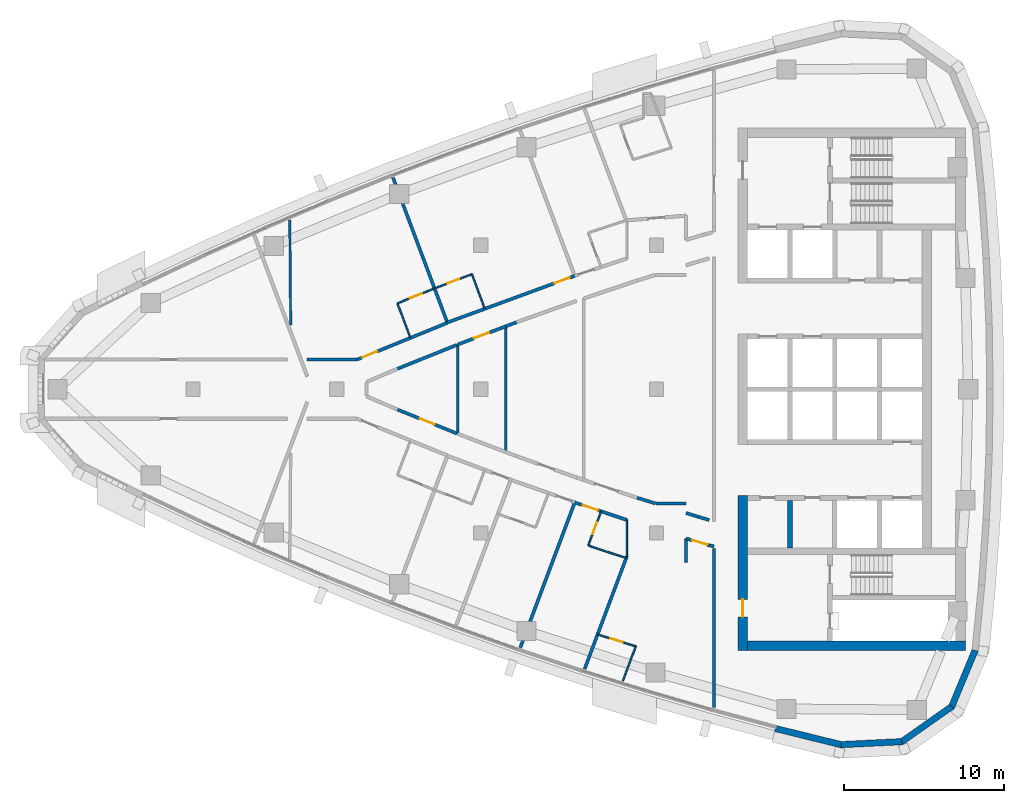
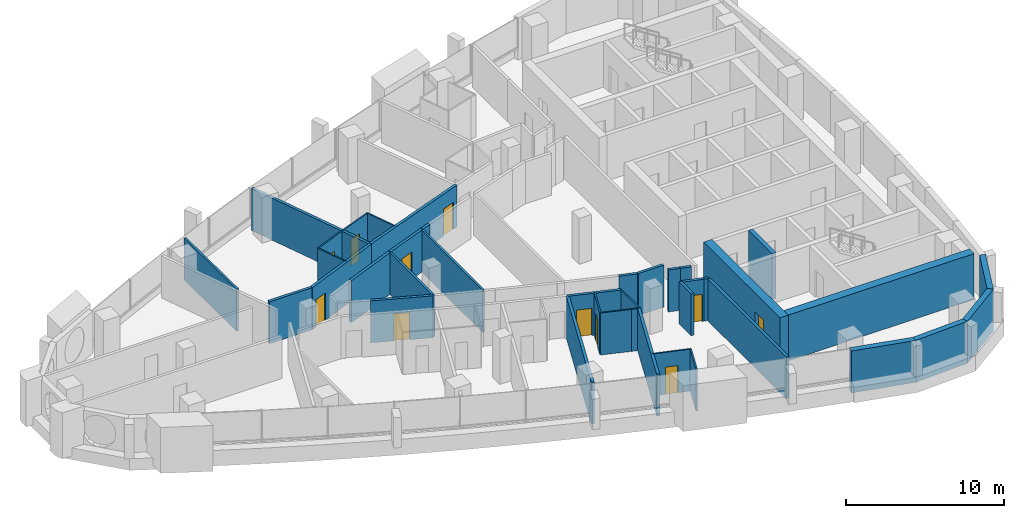
# One storey, part 9 of 16: 39 walls, 11 doors, 11 openings.
"""IFC4 building model written with IfcOpenShell, lengths in metres."""

from ifc_helpers import new_model, si_unit, direction, frame, frame_2d, origin, place, context, subcontext, project, spatial, polyline, rectangle, outline, extrude, material, layer, layer_set, type_object, element, fill, save


model = new_model("IFC4")

# Units and contexts
model_context = context("Model", 3, precision=1e-05, world=origin(), true_north=direction((0.0, 1.0)))
body_context = subcontext(model_context, "Body", "Model", "MODEL_VIEW")
ifc_project = project(units=[si_unit("LENGTHUNIT", "METRE"), si_unit("AREAUNIT", "SQUARE_METRE"), si_unit("VOLUMEUNIT", "CUBIC_METRE"), si_unit("PLANEANGLEUNIT", "RADIAN"), si_unit("MASSUNIT", "GRAM", prefix="KILO")], contexts=[model_context])

# Site, building, storey
site_placement = place(None, origin())
site = spatial("IfcSite", under=ifc_project, at=site_placement, CompositionType="ELEMENT")
building_placement = place(site_placement, origin())
building = spatial("IfcBuilding", under=site, at=building_placement, Name="Ostrand Prow Hotel Tower", CompositionType="ELEMENT")
storey_placement = place(building_placement, frame((0.0, 0.0, 220.800048828125)))
storey = spatial("IfcBuildingStorey", under=building, at=storey_placement, Name="L55", CompositionType="ELEMENT", Elevation=220.800048828125)

# Wall
ifc_material_1 = material(Name="Concrete C50/60", Category="concrete")
ifc_layer_1 = layer(ifc_material_1, 0.300048828125)
ifc_layer_set_1 = layer_set([ifc_layer_1], Name="Concrete C50/60")
wall_type_1 = type_object("IfcWallType", Name="Core wall 300 C50/60", PredefinedType="SHEAR", material=ifc_layer_set_1)
wall_1_placement = place(storey_placement, frame((53.35009765625, -9.949951171875, 0.0), z_axis=(0.0, 0.0, 1.0), x_axis=(0.0, 1.0, 0.0)))
element("IfcWall", 1, at=wall_1_placement, inside=storey, type_object=wall_type_1, Name="Core wall PW-R1-SA", PredefinedType="SHEAR", context=body_context, shape_type="SweptSolid", body=[
    extrude(rectangle(XDim=3.0, YDim=0.300048828125, at=frame_2d((1.5, 0.0))), origin(), (0.0, 0.0, 1.0), 3.550048828125),
])

# Wall, opening, door
ifc_material_2 = material(Name="Concrete C50/60", Category="concrete")
ifc_layer_2 = layer(ifc_material_2, 0.60009765625)
ifc_layer_set_2 = layer_set([ifc_layer_2], Name="Concrete C50/60")
wall_type_2 = type_object("IfcWallType", Name="Core wall 600 C50/60", PredefinedType="SHEAR", material=ifc_layer_set_2)
wall_2_placement = place(storey_placement, frame((50.39990234375, -16.35009765625, 0.0), z_axis=(0.0, 0.0, 1.0), x_axis=(0.0, 1.0, 0.0)))
wall_2 = element("IfcWall", 2, at=wall_2_placement, inside=storey, type_object=wall_type_2, Name="Core wall CW-W-S", PredefinedType="SHEAR", context=body_context, shape_type="SweptSolid", body=[
    extrude(rectangle(XDim=9.7001953125, YDim=0.60009765625, at=frame_2d((4.85009765625, 0.0))), origin(), (0.0, 0.0, 1.0), 3.550048828125),
])
opening_1_placement = place(wall_2_placement, frame((2.10009765625, 0.0, 0.0)))
opening_1 = element("IfcOpeningElement", 3, at=opening_1_placement, cuts=wall_2, Name="Opening FD1", PredefinedType="OPENING", context=body_context, shape_type="SweptSolid", body=[
    extrude(rectangle(XDim=1.10009765625, YDim=2.10009765625, at=frame_2d((0.550048828125, 1.050048828125))), frame((0.0, 0.31005859375, 0.0), z_axis=(0.0, -1.0, 0.0), x_axis=(1.0, 0.0, 0.0)), (0.0, 0.0, 1.0), 0.6201171875),
])
ifc_material_3 = material(Name="Steel fire door", Category="steel")
door_type_1 = type_object("IfcDoorType", Name="Fire door 1100 EI120", OperationType="SINGLE_SWING_RIGHT", PredefinedType="DOOR", material=ifc_material_3)
door_1_placement = place(opening_1_placement, origin())
door_1 = element("IfcDoor", 4, at=door_1_placement, inside=storey, type_object=door_type_1, Name="FIRE DOOR", OperationType="SINGLE_SWING_RIGHT", OverallHeight=2.10009765625, OverallWidth=1.10009765625, PredefinedType="DOOR", context=body_context, shape_type="SweptSolid", body=[
    extrude(rectangle(XDim=1.10009765625, YDim=2.10009765625, at=frame_2d((0.550048828125, 1.050048828125))), frame((0.0, 0.02490234375, 0.0), z_axis=(0.0, -1.0, 0.0), x_axis=(1.0, 0.0, 0.0)), (0.0, 0.0, 1.0), 0.050048828125),
])
fill(opening_1, door_1)

# Wall
wall_3_placement = place(storey_placement, frame((50.699951171875, -16.050048828125, 0.0), z_axis=(0.0, 0.0, 1.0), x_axis=(1.0, 0.0, 0.0)))
element("IfcWall", 5, at=wall_3_placement, inside=storey, type_object=wall_type_2, Name="Core wall CW-S", PredefinedType="SHEAR", context=body_context, shape_type="SweptSolid", body=[
    extrude(rectangle(XDim=13.6201171875, YDim=0.60009765625, at=frame_2d((6.81005859375, 0.0))), origin(), (0.0, 0.0, 1.0), 3.550048828125),
])

# Wall, opening, door
ifc_material_4 = material(Name="Plasterboard partition")
ifc_layer_3 = layer(ifc_material_4, 0.10009765625)
ifc_layer_set_3 = layer_set([ifc_layer_3], Name="Plasterboard partition")
wall_type_3 = type_object("IfcWallType", Name="Partition 100 bathroom wall", PredefinedType="PARTITIONING", material=ifc_layer_set_3)
wall_4_placement = place(storey_placement, frame((28.79296875, 5.37158203125, 0.0), z_axis=(0.0, 0.0, 1.0), x_axis=(0.92761232595, 0.373544338394, 0.0)))
wall_4 = element("IfcWall", 6, at=wall_4_placement, inside=storey, type_object=wall_type_3, Name="BATHROOM WALL", PredefinedType="PARTITIONING", context=body_context, shape_type="SweptSolid", body=[
    extrude(rectangle(XDim=2.50048828125, YDim=0.10009765625, at=frame_2d((1.250244140625, 0.0))), origin(), (0.0, 0.0, 1.0), 3.25),
])
opening_2_placement = place(wall_4_placement, frame((0.85009765625, 0.0, 0.0)))
opening_2 = element("IfcOpeningElement", 7, at=opening_2_placement, cuts=wall_4, Name="Opening D2", PredefinedType="OPENING", context=body_context, shape_type="SweptSolid", body=[
    extrude(rectangle(XDim=0.800048828125, YDim=2.10009765625, at=frame_2d((0.39990234375, 1.050048828125))), frame((0.0, 0.06005859375, 0.0), z_axis=(0.0, -1.0, 0.0), x_axis=(1.0, 0.0, 0.0)), (0.0, 0.0, 1.0), 0.1201171875),
])
ifc_material_5 = material(Name="Timber door leaf", Category="wood")
door_type_2 = type_object("IfcDoorType", Name="Bathroom door 800", OperationType="SINGLE_SWING_LEFT", PredefinedType="DOOR", material=ifc_material_5)
door_2_placement = place(opening_2_placement, origin())
door_2 = element("IfcDoor", 8, at=door_2_placement, inside=storey, type_object=door_type_2, Name="DOOR", OperationType="SINGLE_SWING_LEFT", OverallHeight=2.10009765625, OverallWidth=0.800048828125, PredefinedType="DOOR", context=body_context, shape_type="SweptSolid", body=[
    extrude(rectangle(XDim=0.800048828125, YDim=2.10009765625, at=frame_2d((0.39990234375, 1.050048828125))), frame((0.0, 0.02490234375, 0.0), z_axis=(0.0, -1.0, 0.0), x_axis=(1.0, 0.0, 0.0)), (0.0, 0.0, 1.0), 0.050048828125),
])
fill(opening_2, door_2)

# Wall
wall_5_placement = place(storey_placement, frame((29.592529296875, 3.23876953125, 0.0), z_axis=(0.0, 0.0, 1.0), x_axis=(-0.351158682313, 0.936315961541, 0.0)))
element("IfcWall", 9, at=wall_5_placement, inside=storey, type_object=wall_type_3, Name="BATHROOM WALL", PredefinedType="PARTITIONING", context=body_context, shape_type="SweptSolid", body=[
    extrude(rectangle(XDim=2.277587890625, YDim=0.10009765625, at=frame_2d((1.138671875, 0.0))), origin(), (0.0, 0.0, 1.0), 3.25),
])

# Wall, opening, door
wall_6_placement = place(storey_placement, frame((31.117431640625, 6.3076171875, 0.0), z_axis=(0.0, 0.0, 1.0), x_axis=(0.93495051617, 0.354778145202, 0.0)))
wall_6 = element("IfcWall", 10, at=wall_6_placement, inside=storey, type_object=wall_type_3, Name="BATHROOM WALL", PredefinedType="PARTITIONING", context=body_context, shape_type="SweptSolid", body=[
    extrude(rectangle(XDim=2.49462890625, YDim=0.10009765625, at=frame_2d((1.247314453125, 0.0))), origin(), (0.0, 0.0, 1.0), 3.25),
])
opening_3_placement = place(wall_6_placement, frame((0.85009765625, 0.0, 0.0)))
opening_3 = element("IfcOpeningElement", 11, at=opening_3_placement, cuts=wall_6, Name="Opening D2", PredefinedType="OPENING", context=body_context, shape_type="SweptSolid", body=[
    extrude(rectangle(XDim=0.800048828125, YDim=2.10009765625, at=frame_2d((0.39990234375, 1.050048828125))), frame((0.0, 0.06005859375, 0.0), z_axis=(0.0, -1.0, 0.0), x_axis=(1.0, 0.0, 0.0)), (0.0, 0.0, 1.0), 0.1201171875),
])
door_3_placement = place(opening_3_placement, origin())
door_3 = element("IfcDoor", 12, at=door_3_placement, inside=storey, type_object=door_type_2, Name="DOOR", OperationType="SINGLE_SWING_LEFT", OverallHeight=2.10009765625, OverallWidth=0.800048828125, PredefinedType="DOOR", context=body_context, shape_type="SweptSolid", body=[
    extrude(rectangle(XDim=0.800048828125, YDim=2.10009765625, at=frame_2d((0.39990234375, 1.050048828125))), frame((0.0, 0.02490234375, 0.0), z_axis=(0.0, -1.0, 0.0), x_axis=(1.0, 0.0, 0.0)), (0.0, 0.0, 1.0), 0.050048828125),
])
fill(opening_3, door_3)

# Wall
wall_7_placement = place(storey_placement, frame((33.449951171875, 7.192626953125, 0.0), z_axis=(0.0, 0.0, 1.0), x_axis=(0.351135191353, -0.936324771323, 0.0)))
element("IfcWall", 13, at=wall_7_placement, inside=storey, type_object=wall_type_3, Name="BATHROOM WALL", PredefinedType="PARTITIONING", context=body_context, shape_type="SweptSolid", body=[
    extrude(rectangle(XDim=2.277099609375, YDim=0.10009765625, at=frame_2d((1.138671875, 0.0))), origin(), (0.0, 0.0, 1.0), 3.25),
])

# Wall, opening, door
wall_8_placement = place(storey_placement, frame((40.731689453125, -9.778564453125, 0.0), z_axis=(0.0, 0.0, 1.0), x_axis=(0.351146927505, 0.936320370014, 0.0)))
wall_8 = element("IfcWall", 14, at=wall_8_placement, inside=storey, type_object=wall_type_3, Name="BATHROOM WALL", PredefinedType="PARTITIONING", context=body_context, shape_type="SweptSolid", body=[
    extrude(rectangle(XDim=2.2783203125, YDim=0.10009765625, at=frame_2d((1.13916015625, 0.0))), origin(), (0.0, 0.0, 1.0), 3.25),
])
opening_4_placement = place(wall_8_placement, frame((0.75, 0.0, 0.0)))
opening_4 = element("IfcOpeningElement", 15, at=opening_4_placement, cuts=wall_8, Name="Opening D2", PredefinedType="OPENING", context=body_context, shape_type="SweptSolid", body=[
    extrude(rectangle(XDim=0.800048828125, YDim=2.10009765625, at=frame_2d((0.39990234375, 1.050048828125))), frame((0.0, 0.06005859375, 0.0), z_axis=(0.0, -1.0, 0.0), x_axis=(1.0, 0.0, 0.0)), (0.0, 0.0, 1.0), 0.1201171875),
])
door_4_placement = place(opening_4_placement, origin())
door_4 = element("IfcDoor", 16, at=door_4_placement, inside=storey, type_object=door_type_2, Name="DOOR", OperationType="SINGLE_SWING_LEFT", OverallHeight=2.10009765625, OverallWidth=0.800048828125, PredefinedType="DOOR", context=body_context, shape_type="SweptSolid", body=[
    extrude(rectangle(XDim=0.800048828125, YDim=2.10009765625, at=frame_2d((0.39990234375, 1.050048828125))), frame((0.0, 0.02490234375, 0.0), z_axis=(0.0, -1.0, 0.0), x_axis=(1.0, 0.0, 0.0)), (0.0, 0.0, 1.0), 0.050048828125),
])
fill(opening_4, door_4)

# Walls
wall_9_placement = place(storey_placement, frame((43.108154296875, -10.5615234375, 0.0), z_axis=(0.0, 0.0, 1.0), x_axis=(-0.954624465478, 0.297812239356, 0.0)))
element("IfcWall", 17, at=wall_9_placement, inside=storey, type_object=wall_type_3, Name="BATHROOM WALL", PredefinedType="PARTITIONING", context=body_context, shape_type="SweptSolid", body=[
    extrude(rectangle(XDim=0.5107421875, YDim=0.10009765625, at=frame_2d((0.25537109375, 0.0))), origin(), (0.0, 0.0, 1.0), 3.25),
])
wall_10_placement = place(storey_placement, frame((42.62060546875, -10.409423828125, 0.0), z_axis=(0.0, 0.0, 1.0), x_axis=(-0.948499248693, 0.316779379426, 0.0)))
element("IfcWall", 18, at=wall_10_placement, inside=storey, type_object=wall_type_3, Name="BATHROOM WALL", PredefinedType="PARTITIONING", context=body_context, shape_type="SweptSolid", body=[
    extrude(rectangle(XDim=1.991455078125, YDim=0.10009765625, at=frame_2d((0.99560546875, 0.0))), origin(), (0.0, 0.0, 1.0), 3.25),
])
wall_11_placement = place(storey_placement, frame((43.705078125, -16.08984375, 0.0), z_axis=(0.0, 0.0, 1.0), x_axis=(-0.351111827312, -0.936333532841, 0.0)))
element("IfcWall", 19, at=wall_11_placement, inside=storey, type_object=wall_type_3, Name="BATHROOM WALL", PredefinedType="PARTITIONING", context=body_context, shape_type="SweptSolid", body=[
    extrude(rectangle(XDim=2.3037109375, YDim=0.10009765625, at=frame_2d((1.15185546875, 0.0))), origin(), (0.0, 0.0, 1.0), 3.25),
])

# Wall, opening, door
wall_12_placement = place(storey_placement, frame((41.314697265625, -15.344482421875, 0.0), z_axis=(0.0, 0.0, 1.0), x_axis=(0.954665433195, -0.297680887299, 0.0)))
wall_12 = element("IfcWall", 20, at=wall_12_placement, inside=storey, type_object=wall_type_3, Name="BATHROOM WALL", PredefinedType="PARTITIONING", context=body_context, shape_type="SweptSolid", body=[
    extrude(rectangle(XDim=2.50390625, YDim=0.10009765625, at=frame_2d((1.251953125, 0.0))), origin(), (0.0, 0.0, 1.0), 3.25),
])
opening_5_placement = place(wall_12_placement, frame((0.85009765625, 0.0, 0.0)))
opening_5 = element("IfcOpeningElement", 21, at=opening_5_placement, cuts=wall_12, Name="Opening D2", PredefinedType="OPENING", context=body_context, shape_type="SweptSolid", body=[
    extrude(rectangle(XDim=0.800048828125, YDim=2.10009765625, at=frame_2d((0.39990234375, 1.050048828125))), frame((0.0, 0.06005859375, 0.0), z_axis=(0.0, -1.0, 0.0), x_axis=(1.0, 0.0, 0.0)), (0.0, 0.0, 1.0), 0.1201171875),
])
door_5_placement = place(opening_5_placement, origin())
door_5 = element("IfcDoor", 22, at=door_5_placement, inside=storey, type_object=door_type_2, Name="DOOR", OperationType="SINGLE_SWING_LEFT", OverallHeight=2.10009765625, OverallWidth=0.800048828125, PredefinedType="DOOR", context=body_context, shape_type="SweptSolid", body=[
    extrude(rectangle(XDim=0.800048828125, YDim=2.10009765625, at=frame_2d((0.39990234375, 1.050048828125))), frame((0.0, 0.02490234375, 0.0), z_axis=(0.0, -1.0, 0.0), x_axis=(1.0, 0.0, 0.0)), (0.0, 0.0, 1.0), 0.050048828125),
])
fill(opening_5, door_5)

# Walls
wall_13_placement = place(storey_placement, frame((43.14501953125, -8.1650390625, 0.0), z_axis=(0.0, 0.0, 1.0), x_axis=(0.0, -1.0, 0.0)))
element("IfcWall", 23, at=wall_13_placement, inside=storey, type_object=wall_type_3, Name="BATHROOM WALL", PredefinedType="PARTITIONING", context=body_context, shape_type="SweptSolid", body=[
    extrude(rectangle(XDim=2.29833984375, YDim=0.10009765625, at=frame_2d((1.149169921875, 0.0))), origin(), (0.0, 0.0, 1.0), 3.25),
])
ifc_material_6 = material(Name="Plasterboard partition")
ifc_layer_4 = layer(ifc_material_6, 0.14990234375)
ifc_layer_set_4 = layer_set([ifc_layer_4], Name="Plasterboard partition")
wall_type_4 = type_object("IfcWallType", Name="Partition 150 room partition", PredefinedType="PARTITIONING", material=ifc_layer_set_4)
wall_14_placement = place(storey_placement, frame((32.556396484375, -2.789306640625, 0.0), z_axis=(0.0, 0.0, 1.0), x_axis=(0.0, 1.0, 0.0)))
element("IfcWall", 24, at=wall_14_placement, inside=storey, type_object=wall_type_4, Name="ROOM PARTITION", PredefinedType="PARTITIONING", context=body_context, shape_type="SweptSolid", body=[
    extrude(rectangle(XDim=5.57861328125, YDim=0.14990234375, at=frame_2d((2.789306640625, 0.0))), origin(), (0.0, 0.0, 1.0), 3.25),
])
wall_15_placement = place(storey_placement, frame((35.556396484375, -3.927490234375, 0.0), z_axis=(0.0, 0.0, 1.0), x_axis=(0.0, 1.0, 0.0)))
element("IfcWall", 25, at=wall_15_placement, inside=storey, type_object=wall_type_4, Name="ROOM PARTITION", PredefinedType="PARTITIONING", context=body_context, shape_type="SweptSolid", body=[
    extrude(rectangle(XDim=7.85498046875, YDim=0.14990234375, at=frame_2d((3.927490234375, 0.0))), origin(), (0.0, 0.0, 1.0), 3.25),
])
wall_16_placement = place(storey_placement, frame((22.057373046875, 10.577880859375, 0.0), z_axis=(0.0, 0.0, 1.0), x_axis=(0.008379594055, -0.999964890585, 0.0)))
element("IfcWall", 26, at=wall_16_placement, inside=storey, type_object=wall_type_4, Name="ROOM PARTITION", PredefinedType="PARTITIONING", context=body_context, shape_type="SweptSolid", body=[
    extrude(rectangle(XDim=6.555419921875, YDim=0.14990234375, at=frame_2d((3.27783203125, 0.0))), origin(), (0.0, 0.0, 1.0), 3.25),
])

# Wall, opening, door
ifc_material_7 = material(Name="Plasterboard partition")
ifc_layer_5 = layer(ifc_material_7, 0.199951171875)
ifc_layer_set_5 = layer_set([ifc_layer_5], Name="Plasterboard partition")
wall_type_5 = type_object("IfcWallType", Name="Partition 200 corridor wall", PredefinedType="PARTITIONING", material=ifc_layer_set_5)
wall_17_placement = place(storey_placement, frame((26.265869140625, 1.85009765625, 0.0), z_axis=(0.0, 0.0, 1.0), x_axis=(0.926231512449, 0.376955150311, 0.0)))
wall_17 = element("IfcWall", 27, at=wall_17_placement, inside=storey, type_object=wall_type_5, Name="CORRIDOR WALL", PredefinedType="PARTITIONING", context=body_context, shape_type="SweptSolid", body=[
    extrude(rectangle(XDim=6.10498046875, YDim=0.199951171875, at=frame_2d((3.052490234375, 0.0))), origin(), (0.0, 0.0, 1.0), 3.25),
])
opening_6_placement = place(wall_17_placement, frame((0.35009765625, 0.0, 0.0)))
opening_6 = element("IfcOpeningElement", 28, at=opening_6_placement, cuts=wall_17, Name="Opening D1R", PredefinedType="OPENING", context=body_context, shape_type="SweptSolid", body=[
    extrude(rectangle(XDim=1.0, YDim=2.10009765625, at=frame_2d((0.5, 1.050048828125))), frame((0.0, 0.10986328125, 0.0), z_axis=(0.0, -1.0, 0.0), x_axis=(1.0, 0.0, 0.0)), (0.0, 0.0, 1.0), 0.219970703125),
])
ifc_material_8 = material(Name="Timber door leaf", Category="wood")
door_type_3 = type_object("IfcDoorType", Name="Guest room door 1000 right", OperationType="SINGLE_SWING_RIGHT", PredefinedType="DOOR", material=ifc_material_8)
door_6_placement = place(opening_6_placement, origin())
door_6 = element("IfcDoor", 29, at=door_6_placement, inside=storey, type_object=door_type_3, Name="DOOR", OperationType="SINGLE_SWING_RIGHT", OverallHeight=2.10009765625, OverallWidth=1.0, PredefinedType="DOOR", context=body_context, shape_type="SweptSolid", body=[
    extrude(rectangle(XDim=1.0, YDim=2.10009765625, at=frame_2d((0.5, 1.050048828125))), frame((0.0, 0.02490234375, 0.0), z_axis=(0.0, -1.0, 0.0), x_axis=(1.0, 0.0, 0.0)), (0.0, 0.0, 1.0), 0.050048828125),
])
fill(opening_6, door_6)

wall_18_placement = place(storey_placement, frame((39.88232421875, 7.091064453125, 0.0), z_axis=(0.0, 0.0, 1.0), x_axis=(-0.938916907106, -0.344143925634, 0.0)))
wall_18 = element("IfcWall", 30, at=wall_18_placement, inside=storey, type_object=wall_type_5, Name="CORRIDOR WALL", PredefinedType="PARTITIONING", context=body_context, shape_type="SweptSolid", body=[
    extrude(rectangle(XDim=8.487548828125, YDim=0.199951171875, at=frame_2d((4.24365234375, 0.0))), origin(), (0.0, 0.0, 1.0), 3.25),
])
opening_7_placement = place(wall_18_placement, frame((0.35009765625, 0.0, 0.0)))
opening_7 = element("IfcOpeningElement", 31, at=opening_7_placement, cuts=wall_18, Name="Opening D1R", PredefinedType="OPENING", context=body_context, shape_type="SweptSolid", body=[
    extrude(rectangle(XDim=1.0, YDim=2.10009765625, at=frame_2d((0.5, 1.050048828125))), frame((0.0, 0.10986328125, 0.0), z_axis=(0.0, -1.0, 0.0), x_axis=(1.0, 0.0, 0.0)), (0.0, 0.0, 1.0), 0.219970703125),
])
door_7_placement = place(opening_7_placement, origin())
door_7 = element("IfcDoor", 32, at=door_7_placement, inside=storey, type_object=door_type_3, Name="DOOR", OperationType="SINGLE_SWING_RIGHT", OverallHeight=2.10009765625, OverallWidth=1.0, PredefinedType="DOOR", context=body_context, shape_type="SweptSolid", body=[
    extrude(rectangle(XDim=1.0, YDim=2.10009765625, at=frame_2d((0.5, 1.050048828125))), frame((0.0, 0.02490234375, 0.0), z_axis=(0.0, -1.0, 0.0), x_axis=(1.0, 0.0, 0.0)), (0.0, 0.0, 1.0), 0.050048828125),
])
fill(opening_7, door_7)

wall_19_placement = place(storey_placement, frame((39.88232421875, -7.091064453125, 0.0), z_axis=(0.0, 0.0, 1.0), x_axis=(0.948477584784, -0.316844238013, 0.0)))
wall_19 = element("IfcWall", 33, at=wall_19_placement, inside=storey, type_object=wall_type_5, Name="CORRIDOR WALL", PredefinedType="PARTITIONING", context=body_context, shape_type="SweptSolid", body=[
    extrude(rectangle(XDim=3.445068359375, YDim=0.199951171875, at=frame_2d((1.72265625, 0.0))), origin(), (0.0, 0.0, 1.0), 3.25),
])
opening_8_placement = place(wall_19_placement, frame((0.550048828125, 0.0, 0.0)))
opening_8 = element("IfcOpeningElement", 34, at=opening_8_placement, cuts=wall_19, Name="Opening D1", PredefinedType="OPENING", context=body_context, shape_type="SweptSolid", body=[
    extrude(rectangle(XDim=1.0, YDim=2.10009765625, at=frame_2d((0.5, 1.050048828125))), frame((0.0, 0.10986328125, 0.0), z_axis=(0.0, -1.0, 0.0), x_axis=(1.0, 0.0, 0.0)), (0.0, 0.0, 1.0), 0.219970703125),
])
ifc_material_9 = material(Name="Timber door leaf", Category="wood")
door_type_4 = type_object("IfcDoorType", Name="Guest room door 1000", OperationType="SINGLE_SWING_LEFT", PredefinedType="DOOR", material=ifc_material_9)
door_8_placement = place(opening_8_placement, origin())
door_8 = element("IfcDoor", 35, at=door_8_placement, inside=storey, type_object=door_type_4, Name="DOOR", OperationType="SINGLE_SWING_LEFT", OverallHeight=2.10009765625, OverallWidth=1.0, PredefinedType="DOOR", context=body_context, shape_type="SweptSolid", body=[
    extrude(rectangle(XDim=1.0, YDim=2.10009765625, at=frame_2d((0.5, 1.050048828125))), frame((0.0, 0.02490234375, 0.0), z_axis=(0.0, -1.0, 0.0), x_axis=(1.0, 0.0, 0.0)), (0.0, 0.0, 1.0), 0.050048828125),
])
fill(opening_8, door_8)

wall_20_placement = place(storey_placement, frame((32.50146484375, -2.768310546875, 0.0), z_axis=(0.0, 0.0, 1.0), x_axis=(-0.927622894464, 0.373518092823, 0.0)))
wall_20 = element("IfcWall", 36, at=wall_20_placement, inside=storey, type_object=wall_type_5, Name="CORRIDOR WALL", PredefinedType="PARTITIONING", context=body_context, shape_type="SweptSolid", body=[
    extrude(rectangle(XDim=3.994873046875, YDim=0.199951171875, at=frame_2d((1.99755859375, 0.0))), origin(), (0.0, 0.0, 1.0), 3.25),
])
opening_9_placement = place(wall_20_placement, frame((1.49755859375, 0.0, 0.0)))
opening_9 = element("IfcOpeningElement", 37, at=opening_9_placement, cuts=wall_20, Name="Opening D1R", PredefinedType="OPENING", context=body_context, shape_type="SweptSolid", body=[
    extrude(rectangle(XDim=1.0, YDim=2.10009765625, at=frame_2d((0.5, 1.050048828125))), frame((0.0, 0.10986328125, 0.0), z_axis=(0.0, -1.0, 0.0), x_axis=(1.0, 0.0, 0.0)), (0.0, 0.0, 1.0), 0.219970703125),
])
door_9_placement = place(opening_9_placement, origin())
door_9 = element("IfcDoor", 38, at=door_9_placement, inside=storey, type_object=door_type_3, Name="DOOR", OperationType="SINGLE_SWING_RIGHT", OverallHeight=2.10009765625, OverallWidth=1.0, PredefinedType="DOOR", context=body_context, shape_type="SweptSolid", body=[
    extrude(rectangle(XDim=1.0, YDim=2.10009765625, at=frame_2d((0.5, 1.050048828125))), frame((0.0, 0.02490234375, 0.0), z_axis=(0.0, -1.0, 0.0), x_axis=(1.0, 0.0, 0.0)), (0.0, 0.0, 1.0), 0.050048828125),
])
fill(opening_9, door_9)

# Wall
wall_21_placement = place(storey_placement, frame((28.795654296875, 1.276123046875, 0.0), z_axis=(0.0, 0.0, 1.0), x_axis=(0.927622894464, 0.373518092823, 0.0)))
element("IfcWall", 39, at=wall_21_placement, inside=storey, type_object=wall_type_5, Name="CORRIDOR WALL", PredefinedType="PARTITIONING", context=body_context, shape_type="SweptSolid", body=[
    extrude(rectangle(XDim=3.994873046875, YDim=0.199951171875, at=frame_2d((1.99755859375, 0.0))), origin(), (0.0, 0.0, 1.0), 3.25),
])

# Wall, opening, door
wall_22_placement = place(storey_placement, frame((32.556396484375, 2.789306640625, 0.0), z_axis=(0.0, 0.0, 1.0), x_axis=(0.934971422854, 0.354723044706, 0.0)))
wall_22 = element("IfcWall", 40, at=wall_22_placement, inside=storey, type_object=wall_type_5, Name="CORRIDOR WALL", PredefinedType="PARTITIONING", context=body_context, shape_type="SweptSolid", body=[
    extrude(rectangle(XDim=3.208740234375, YDim=0.199951171875, at=frame_2d((1.6044921875, 0.0))), origin(), (0.0, 0.0, 1.0), 3.25),
])
opening_10_placement = place(wall_22_placement, frame((1.1044921875, 0.0, 0.0)))
opening_10 = element("IfcOpeningElement", 41, at=opening_10_placement, cuts=wall_22, Name="Opening D1", PredefinedType="OPENING", context=body_context, shape_type="SweptSolid", body=[
    extrude(rectangle(XDim=1.0, YDim=2.10009765625, at=frame_2d((0.5, 1.050048828125))), frame((0.0, 0.10986328125, 0.0), z_axis=(0.0, -1.0, 0.0), x_axis=(1.0, 0.0, 0.0)), (0.0, 0.0, 1.0), 0.219970703125),
])
door_10_placement = place(opening_10_placement, origin())
door_10 = element("IfcDoor", 42, at=door_10_placement, inside=storey, type_object=door_type_4, Name="DOOR", OperationType="SINGLE_SWING_LEFT", OverallHeight=2.10009765625, OverallWidth=1.0, PredefinedType="DOOR", context=body_context, shape_type="SweptSolid", body=[
    extrude(rectangle(XDim=1.0, YDim=2.10009765625, at=frame_2d((0.5, 1.050048828125))), frame((0.0, 0.02490234375, 0.0), z_axis=(0.0, -1.0, 0.0), x_axis=(1.0, 0.0, 0.0)), (0.0, 0.0, 1.0), 0.050048828125),
])
fill(opening_10, door_10)

# Walls
wall_23_placement = place(storey_placement, frame((35.556396484375, 3.927490234375, 0.0), z_axis=(0.0, 0.0, 1.0), x_axis=(0.934928414106, 0.354836385533, 0.0)))
element("IfcWall", 43, at=wall_23_placement, inside=storey, type_object=wall_type_5, Name="CORRIDOR WALL", PredefinedType="PARTITIONING", context=body_context, shape_type="SweptSolid", body=[
    extrude(rectangle(XDim=0.727294921875, YDim=0.199951171875, at=frame_2d((0.36376953125, 0.0))), origin(), (0.0, 0.0, 1.0), 3.25),
])
wall_24_placement = place(storey_placement, frame((47.60205078125, -7.982421875, 0.0), z_axis=(0.0, 0.0, 1.0), x_axis=(-0.95461224237, 0.297851417181, 0.0)))
element("IfcWall", 44, at=wall_24_placement, inside=storey, type_object=wall_type_5, Name="CORRIDOR WALL", PredefinedType="PARTITIONING", context=body_context, shape_type="SweptSolid", body=[
    extrude(rectangle(XDim=0.78759765625, YDim=0.199951171875, at=frame_2d((0.393798828125, 0.0))), origin(), (0.0, 0.0, 1.0), 3.25),
])
wall_25_placement = place(storey_placement, frame((44.9326171875, -7.14990234375, 0.0), z_axis=(0.0, 0.0, 1.0), x_axis=(-0.954693570678, 0.29759063511, 0.0)))
element("IfcWall", 45, at=wall_25_placement, inside=storey, type_object=wall_type_5, Name="CORRIDOR WALL", PredefinedType="PARTITIONING", context=body_context, shape_type="SweptSolid", body=[
    extrude(rectangle(XDim=1.198486328125, YDim=0.199951171875, at=frame_2d((0.59912109375, 0.0))), origin(), (0.0, 0.0, 1.0), 3.25),
])

# Wall, opening, door
wall_26_placement = place(storey_placement, frame((46.85009765625, -9.340087890625, 0.0), z_axis=(0.0, 0.0, 1.0), x_axis=(0.95944263903, -0.281903924079, 0.0)))
wall_26 = element("IfcWall", 46, at=wall_26_placement, inside=storey, type_object=wall_type_5, Name="CORRIDOR WALL", PredefinedType="PARTITIONING", context=body_context, shape_type="SweptSolid", body=[
    extrude(rectangle(XDim=1.51123046875, YDim=0.199951171875, at=frame_2d((0.755615234375, 0.0))), origin(), (0.0, 0.0, 1.0), 3.25),
])
opening_11_placement = place(wall_26_placement, frame((0.39990234375, 0.0, 0.0)))
opening_11 = element("IfcOpeningElement", 47, at=opening_11_placement, cuts=wall_26, Name="Opening D1", PredefinedType="OPENING", context=body_context, shape_type="SweptSolid", body=[
    extrude(rectangle(XDim=1.0, YDim=2.10009765625, at=frame_2d((0.5, 1.050048828125))), frame((0.0, 0.10986328125, 0.0), z_axis=(0.0, -1.0, 0.0), x_axis=(1.0, 0.0, 0.0)), (0.0, 0.0, 1.0), 0.219970703125),
])
door_11_placement = place(opening_11_placement, origin())
door_11 = element("IfcDoor", 48, at=door_11_placement, inside=storey, type_object=door_type_4, Name="DOOR", OperationType="SINGLE_SWING_LEFT", OverallHeight=2.10009765625, OverallWidth=1.0, PredefinedType="DOOR", context=body_context, shape_type="SweptSolid", body=[
    extrude(rectangle(XDim=1.0, YDim=2.10009765625, at=frame_2d((0.5, 1.050048828125))), frame((0.0, 0.02490234375, 0.0), z_axis=(0.0, -1.0, 0.0), x_axis=(1.0, 0.0, 0.0)), (0.0, 0.0, 1.0), 0.050048828125),
])
fill(opening_11, door_11)

# Walls
wall_27_placement = place(storey_placement, frame((48.300048828125, -8.184814453125, 0.0), z_axis=(0.0, 0.0, 1.0), x_axis=(-0.960439023181, 0.278490363839, 0.0)))
element("IfcWall", 49, at=wall_27_placement, inside=storey, type_object=wall_type_5, Name="CORRIDOR WALL", PredefinedType="PARTITIONING", context=body_context, shape_type="SweptSolid", body=[
    extrude(rectangle(XDim=0.726806640625, YDim=0.199951171875, at=frame_2d((0.36328125, 0.0))), origin(), (0.0, 0.0, 1.0), 3.25),
])
wall_28_placement = place(storey_placement, frame((46.8515625, -7.145263671875, 0.0), z_axis=(0.0, 0.0, 1.0), x_axis=(-0.99999999156, 0.000129920747, 0.0)))
element("IfcWall", 50, at=wall_28_placement, inside=storey, type_object=wall_type_5, Name="CORRIDOR WALL", PredefinedType="PARTITIONING", context=body_context, shape_type="SweptSolid", body=[
    extrude(rectangle(XDim=1.879150390625, YDim=0.199951171875, at=frame_2d((0.939453125, 0.0))), origin(), (0.0, 0.0, 1.0), 3.25),
])
wall_29_placement = place(storey_placement, frame((26.265869140625, 1.85009765625, 0.0), z_axis=(0.0, 0.0, 1.0), x_axis=(-0.999999006581, 0.001409552241, 0.0)))
element("IfcWall", 51, at=wall_29_placement, inside=storey, type_object=wall_type_5, Name="CORRIDOR WALL", PredefinedType="PARTITIONING", context=body_context, shape_type="SweptSolid", body=[
    extrude(rectangle(XDim=3.11767578125, YDim=0.199951171875, at=frame_2d((1.558837890625, 0.0))), origin(), (0.0, 0.0, 1.0), 3.25),
])
wall_30_placement = place(storey_placement, frame((46.8505859375, -10.85498046875, 0.0), z_axis=(0.0, 0.0, 1.0), x_axis=(-0.000322320692, 0.999999948055, 0.0)))
element("IfcWall", 52, at=wall_30_placement, inside=storey, type_object=wall_type_5, Name="CORRIDOR WALL", PredefinedType="PARTITIONING", context=body_context, shape_type="SweptSolid", body=[
    extrude(rectangle(XDim=1.514892578125, YDim=0.199951171875, at=frame_2d((0.75732421875, 0.0))), origin(), (0.0, 0.0, 1.0), 3.25),
])
wall_31_placement = place(storey_placement, frame((48.300048828125, -9.76611328125, 0.0), z_axis=(0.0, 0.0, 1.0), x_axis=(0.972415906571, -0.233253734477, 0.0)))
element("IfcWall", 53, at=wall_31_placement, inside=storey, type_object=wall_type_5, Name="CORRIDOR WALL", PredefinedType="PARTITIONING", context=body_context, shape_type="SweptSolid", body=[
    extrude(rectangle(XDim=0.309814453125, YDim=0.199951171875, at=frame_2d((0.15478515625, 0.0))), origin(), (0.0, 0.0, 1.0), 3.25),
])
wall_32_placement = place(storey_placement, frame((48.594970703125, -9.95703125, 0.0), z_axis=(0.0, 0.0, 1.0), x_axis=(0.0, -1.0, 0.0)))
element("IfcWall", 54, at=wall_32_placement, inside=storey, type_object=wall_type_5, Name="CORRIDOR WALL", PredefinedType="PARTITIONING", context=body_context, shape_type="SweptSolid", body=[
    extrude(rectangle(XDim=9.972412109375, YDim=0.199951171875, at=frame_2d((4.986328125, 0.0))), origin(), (0.0, 0.0, 1.0), 3.25),
])
ifc_material_10 = material(Name="Plasterboard partition")
ifc_layer_6 = layer(ifc_material_10, 0.199951171875)
ifc_layer_set_6 = layer_set([ifc_layer_6], Name="Plasterboard partition")
wall_type_6 = type_object("IfcWallType", Name="Partition 200 key partition", PredefinedType="PARTITIONING", material=ifc_layer_set_6)
wall_33_placement = place(storey_placement, frame((31.92041015625, 4.1513671875, 0.0), z_axis=(0.0, 0.0, 1.0), x_axis=(-0.351126199585, 0.936328143316, 0.0)))
element("IfcWall", 55, at=wall_33_placement, inside=storey, type_object=wall_type_6, Name="KEY PARTITION", PredefinedType="PARTITIONING", context=body_context, shape_type="SweptSolid", body=[
    extrude(rectangle(XDim=9.700927734375, YDim=0.199951171875, at=frame_2d((4.8505859375, 0.0))), origin(), (0.0, 0.0, 1.0), 3.25),
])
wall_34_placement = place(storey_placement, frame((36.481201171875, -16.16064453125, 0.0), z_axis=(0.0, 0.0, 1.0), x_axis=(0.35112895446, 0.936327110224, 0.0)))
element("IfcWall", 56, at=wall_34_placement, inside=storey, type_object=wall_type_6, Name="KEY PARTITION", PredefinedType="PARTITIONING", context=body_context, shape_type="SweptSolid", body=[
    extrude(rectangle(XDim=9.706298828125, YDim=0.199951171875, at=frame_2d((4.85302734375, 0.0))), origin(), (0.0, 0.0, 1.0), 3.25),
])
wall_35_placement = place(storey_placement, frame((40.505615234375, -17.50146484375, 0.0), z_axis=(0.0, 0.0, 1.0), x_axis=(0.351119888923, 0.936330509811, 0.0)))
element("IfcWall", 57, at=wall_35_placement, inside=storey, type_object=wall_type_6, Name="KEY PARTITION", PredefinedType="PARTITIONING", context=body_context, shape_type="SweptSolid", body=[
    extrude(rectangle(XDim=7.531005859375, YDim=0.199951171875, at=frame_2d((3.765625, 0.0))), origin(), (0.0, 0.0, 1.0), 3.25),
])
ifc_material_11 = material(Name="Precast concrete C40/50", Category="concrete")
ifc_layer_7 = layer(ifc_material_11, 0.39990234375)
ifc_layer_set_7 = layer_set([ifc_layer_7], Name="Precast concrete C40/50")
wall_type_7 = type_object("IfcWallType", Name="Stone-faced precast wall 400 mm", PredefinedType="NOTDEFINED", material=ifc_layer_set_7)
wall_36_placement = place(storey_placement, frame((52.440673828125, -21.229736328125, 0.0), z_axis=(0.0, 0.0, 1.0), x_axis=(0.970902342456, -0.23947576373, 0.0)))
element("IfcWall", 58, at=wall_36_placement, inside=storey, type_object=wall_type_7, Name="Stone-faced wall back 1", PredefinedType="NOTDEFINED", context=body_context, shape_type="SweptSolid", body=[
    extrude(outline(polyline([(0.0, -0.199951171875), (4.255126953125, -0.199951171875), (4.196533203125, 0.199951171875), (0.0, 0.199951171875), (0.0, -0.199951171875)])), origin(), (0.0, 0.0, 1.0), 3.25),
])
wall_37_placement = place(storey_placement, frame((56.54345703125, -22.24169921875, 0.0), z_axis=(0.0, 0.0, 1.0), x_axis=(0.998758875872, 0.049806705046, 0.0)))
element("IfcWall", 59, at=wall_37_placement, inside=storey, type_object=wall_type_7, Name="Stone-faced wall back 2", PredefinedType="NOTDEFINED", context=body_context, shape_type="SweptSolid", body=[
    extrude(outline(polyline([(-0.029296875, -0.199951171875), (3.871337890625, -0.199951171875), (3.755615234375, 0.199951171875), (0.029296875, 0.199951171875), (-0.029296875, -0.199951171875)])), origin(), (0.0, 0.0, 1.0), 3.25),
])
wall_38_placement = place(storey_placement, frame((60.352294921875, -22.0517578125, 0.0), z_axis=(0.0, 0.0, 1.0), x_axis=(0.817942545532, 0.575299915009, 0.0)))
element("IfcWall", 60, at=wall_38_placement, inside=storey, type_object=wall_type_7, Name="Stone-faced wall back 3", PredefinedType="NOTDEFINED", context=body_context, shape_type="SweptSolid", body=[
    extrude(outline(polyline([(-0.057861328125, -0.199951171875), (3.871337890625, -0.199951171875), (3.755615234375, 0.199951171875), (0.057861328125, 0.199951171875), (-0.057861328125, -0.199951171875)])), origin(), (0.0, 0.0, 1.0), 3.25),
])
wall_39_placement = place(storey_placement, frame((63.471435546875, -19.85791015625, 0.0), z_axis=(0.0, 0.0, 1.0), x_axis=(0.3844335483, 0.923152667191, 0.0)))
element("IfcWall", 61, at=wall_39_placement, inside=storey, type_object=wall_type_7, Name="Stone-faced wall back 4", PredefinedType="NOTDEFINED", context=body_context, shape_type="SweptSolid", body=[
    extrude(outline(polyline([(-0.057861328125, -0.199951171875), (3.84326171875, -0.199951171875), (3.78369140625, 0.199951171875), (0.057861328125, 0.199951171875), (-0.057861328125, -0.199951171875)])), origin(), (0.0, 0.0, 1.0), 3.25),
])

save(model, "model.ifc")
